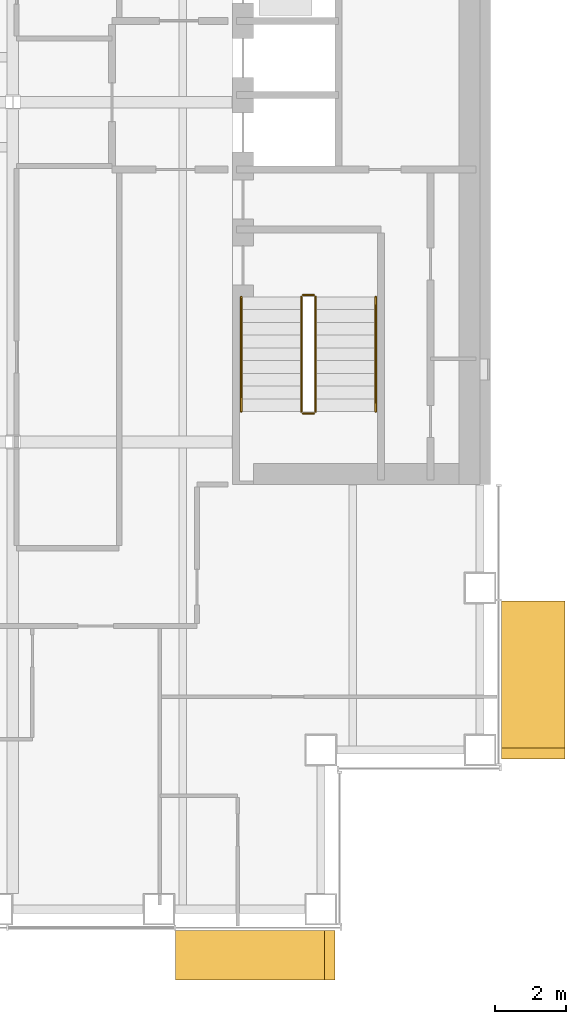
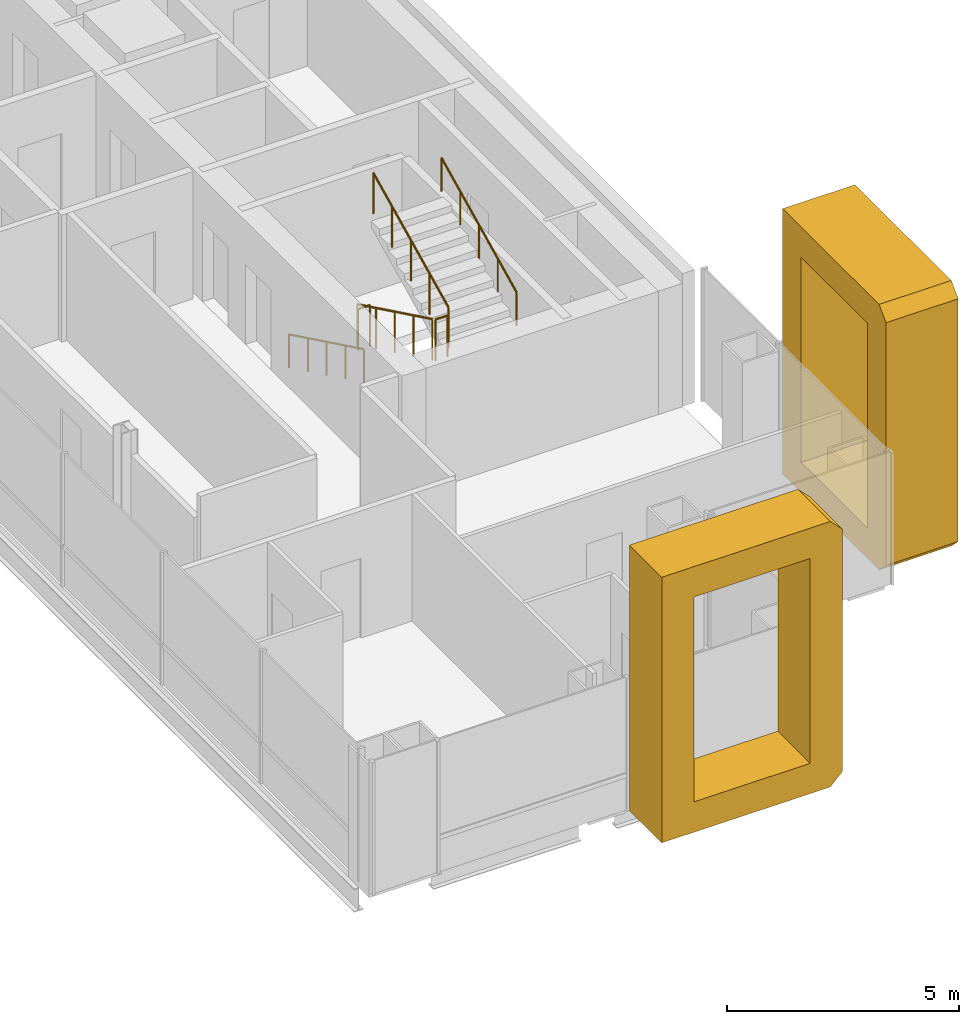
# One storey, part 15 of 17: 6 railings, 2 coverings.
"""IFC4 building model written with IfcOpenShell, lengths in metres."""

import ifcopenshell
import ifcopenshell.guid

model = None  # the IFC model being written
_history = None  # IfcOwnerHistory: only IFC2X3 demands one
_inside = {}  # id of a spatial element -> (the spatial element, [elements in it])
_under = {}  # id of a project, library or spatial element -> (it, [spatial elements below it])
_declared = {}  # id of a project -> (the project, [libraries it declares])
_typed = {}  # id of a type object -> (the type object, [elements of that type])
_made_of = {}  # id of a material, layer set ... -> (it, [elements and type objects made of it])


def new_model(schema):
    """Start an empty IFC model of exactly this schema.

    Asked for "IFC4X3", IfcOpenShell would pick the latest addendum, in which some entities
    have other attributes; the version numbers below select the first issue.
    IFC2X3 requires an IfcOwnerHistory on every rooted entity: one is made here for all.
    """
    global model, _history
    if schema == "IFC4X3":
        model = ifcopenshell.file(schema_version=(4, 3, 0, 0))
    else:
        model = ifcopenshell.file(schema=schema)
    _inside.clear()
    _under.clear()
    _declared.clear()
    _typed.clear()
    _made_of.clear()
    _history = None
    if model.schema == "IFC2X3":
        org = make("IfcOrganization", Name="unknown")
        user = make(
            "IfcPersonAndOrganization",
            ThePerson=make("IfcPerson", FamilyName="unknown"),
            TheOrganization=org,
        )
        app = make(
            "IfcApplication",
            ApplicationDeveloper=org,
            Version="unknown",
            ApplicationFullName="unknown",
            ApplicationIdentifier="unknown",
        )
        _history = make(
            "IfcOwnerHistory",
            OwningUser=user,
            OwningApplication=app,
            ChangeAction="ADDED",
            CreationDate=0,
        )
    return model


def make(cls, **values):
    """One entity of the class cls with the attributes given. An attribute that is None is left unset."""
    return model.create_entity(
        cls, **{name: value for name, value in values.items() if value is not None}
    )


def rooted(cls, **values):
    """An entity with a GlobalId (a new one), such as an element, a storey or a relation."""
    return make(cls, GlobalId=ifcopenshell.guid.new(), OwnerHistory=_history, **values)


def si_unit(unit_type, name, prefix=None):
    """IfcSIUnit, for example si_unit("LENGTHUNIT", "METRE", prefix="MILLI")."""
    return make("IfcSIUnit", UnitType=unit_type, Prefix=prefix, Name=name)


def assignment(units):
    """IfcUnitAssignment: the units of a project."""
    return None if units is None else make("IfcUnitAssignment", Units=units)


def point(xyz):
    """IfcCartesianPoint."""
    return None if xyz is None else make("IfcCartesianPoint", Coordinates=xyz)


def direction(xyz):
    """IfcDirection."""
    return None if xyz is None else make("IfcDirection", DirectionRatios=xyz)


def frame(location, z_axis=None, x_axis=None):
    """IfcAxis2Placement3D, a coordinate frame: its origin and axes. An axis left out is left unset."""
    return make(
        "IfcAxis2Placement3D",
        Location=point(location),
        Axis=direction(z_axis),
        RefDirection=direction(x_axis),
    )


def frame_2d(location, x_axis=None):
    """IfcAxis2Placement2D, a coordinate frame in the plane: its origin and x axis."""
    return make(
        "IfcAxis2Placement2D", Location=point(location), RefDirection=direction(x_axis)
    )


def origin():
    """The frame at (0, 0, 0) with its axes left unset."""
    return frame((0.0, 0.0, 0.0))


def origin_2d():
    """The frame at (0, 0) in the plane with its x axis left unset."""
    return frame_2d((0.0, 0.0))


def place(relative_to, where):
    """IfcLocalPlacement: puts the frame where relative to a parent placement (None: the world)."""
    return make(
        "IfcLocalPlacement", PlacementRelTo=relative_to, RelativePlacement=where
    )


def context(
    kind, dimensions, precision=None, world=None, true_north=None, identifier=None
):
    """IfcGeometricRepresentationContext, for example the 3D "Model" context."""
    return make(
        "IfcGeometricRepresentationContext",
        ContextIdentifier=identifier,
        ContextType=kind,
        CoordinateSpaceDimension=dimensions,
        Precision=precision,
        WorldCoordinateSystem=world,
        TrueNorth=true_north,
    )


def subcontext(parent, identifier, kind, view, scale=None):
    """IfcGeometricRepresentationSubContext, for example "Body" below "Model"."""
    return make(
        "IfcGeometricRepresentationSubContext",
        ContextIdentifier=identifier,
        ContextType=kind,
        ParentContext=parent,
        TargetScale=scale,
        TargetView=view,
    )


def project(units=None, contexts=None):
    """IfcProject with its units and contexts."""
    return rooted(
        "IfcProject",
        Name="project",
        RepresentationContexts=contexts,
        UnitsInContext=assignment(units),
    )


def spatial(cls, under=None, at=None, **own):
    """A site, building, storey or space (cls), placed at a placement, below another one or the project."""
    s = rooted(cls, ObjectPlacement=at, **own)
    if under is not None:
        _under.setdefault(under.id(), (under, []))[1].append(s)
    return s


def polyline(points):
    """IfcPolyline through the points."""
    return make("IfcPolyline", Points=[point(p) for p in points])


def profile(cls, at=None, kind="AREA", **sizes):
    """A parametric profile (cls). Its sizes go by their IFC names, for example OverallWidth=200.0."""
    return make(cls, ProfileType=kind, Position=at, **sizes)


def circle(**sizes):
    """IfcCircleProfileDef."""
    return profile("IfcCircleProfileDef", **sizes)


def outline(outer, holes=None, kind="AREA"):
    """IfcArbitraryClosedProfileDef: a profile drawn as a closed curve; with holes, ...WithVoids."""
    if holes is None:
        return make("IfcArbitraryClosedProfileDef", ProfileType=kind, OuterCurve=outer)
    return make(
        "IfcArbitraryProfileDefWithVoids",
        ProfileType=kind,
        OuterCurve=outer,
        InnerCurves=holes,
    )


def extrude(swept, where, along, depth):
    """IfcExtrudedAreaSolid: the profile swept, set in the frame where, extruded along a direction by depth."""
    return make(
        "IfcExtrudedAreaSolid",
        SweptArea=swept,
        Position=where,
        ExtrudedDirection=direction(along),
        Depth=depth,
    )


def shape(context_of_items, identifier, shape_type, items):
    """IfcShapeRepresentation: the items that make up one representation, for example the "Body"."""
    return make(
        "IfcShapeRepresentation",
        ContextOfItems=context_of_items,
        RepresentationIdentifier=identifier,
        RepresentationType=shape_type,
        Items=items,
    )


def material(Name=None, Category=None):
    """IfcMaterial."""
    return make("IfcMaterial", Name=Name, Category=Category)


def made_of(thing, what):
    """Note that an element or type object is made of a material, layer set ...; save() writes the relation."""
    if what is not None:
        _made_of.setdefault(what.id(), (what, []))[1].append(thing)
    return thing


def type_object(cls, material=None, **own):
    """A type object (cls), such as IfcWallType, which elements share."""
    return made_of(rooted(cls, **own), material)


def element(
    cls,
    number,
    at=None,
    inside=None,
    cuts=None,
    type_object=None,
    material=None,
    context=None,
    identifier="Body",
    shape_type=None,
    held_by="IfcProductDefinitionShape",
    body=None,
    shapes=None,
    **own,
):
    """One element of the class cls, such as IfcWall. Its Tag is "e" and its number.

    at: its placement. inside: the storey or other place that contains it. cuts: it is an
    opening in that element (IfcRelVoidsElement). A single representation is given by context,
    identifier, shape_type and body (its items); several are given by shapes. held_by: the class
    of the entity that holds the representations. save() writes the other relations.
    """
    e = rooted(cls, Tag="e%d" % number, ObjectPlacement=at, **own)
    if body is not None:
        shapes = [shape(context, identifier, shape_type, body)]
    if shapes is not None:
        e.Representation = make(held_by, Representations=shapes)
    if inside is not None:
        _inside.setdefault(inside.id(), (inside, []))[1].append(e)
    if cuts is not None:
        rooted(
            "IfcRelVoidsElement", RelatingBuildingElement=cuts, RelatedOpeningElement=e
        )
    if type_object is not None:
        _typed.setdefault(type_object.id(), (type_object, []))[1].append(e)
    return made_of(e, material)


def aggregate(whole, parts):
    """IfcRelAggregates: a whole, such as a stair, and the parts it consists of."""
    return rooted("IfcRelAggregates", RelatingObject=whole, RelatedObjects=parts)


def save(model, path):
    """Write the relations noted so far, then the file.

    IfcRelAggregates (storeys below a building ...), IfcRelContainedInSpatialStructure (elements
    in a storey), IfcRelDefinesByType, IfcRelAssociatesMaterial and IfcRelDeclares: one each for
    every whole, place, type object, material and project.
    """
    for whole, parts in _under.values():
        aggregate(whole, parts)
    for where, things in _inside.values():
        rooted(
            "IfcRelContainedInSpatialStructure",
            RelatedElements=things,
            RelatingStructure=where,
        )
    for kind, things in _typed.values():
        rooted("IfcRelDefinesByType", RelatedObjects=things, RelatingType=kind)
    for what, things in _made_of.values():
        rooted("IfcRelAssociatesMaterial", RelatedObjects=things, RelatingMaterial=what)
    for by, libraries in _declared.values():
        rooted("IfcRelDeclares", RelatingContext=by, RelatedDefinitions=libraries)
    model.write(path)


model = new_model("IFC4")

# Units and contexts
model_context = context("Model", 3, precision=1e-05, world=origin(), true_north=direction((0.0, 1.0)))
body_context = subcontext(model_context, "Body", "Model", "MODEL_VIEW")
ifc_project = project(units=[si_unit("LENGTHUNIT", "METRE"), si_unit("AREAUNIT", "SQUARE_METRE"), si_unit("VOLUMEUNIT", "CUBIC_METRE"), si_unit("PLANEANGLEUNIT", "RADIAN"), si_unit("MASSUNIT", "GRAM", prefix="KILO")], contexts=[model_context])

# Site, building, storey
site_placement = place(None, origin())
site = spatial("IfcSite", under=ifc_project, at=site_placement, CompositionType="ELEMENT")
building_placement = place(site_placement, origin())
building = spatial("IfcBuilding", under=site, at=building_placement, Name="Cobrizo Arcos Hotel Tower", CompositionType="ELEMENT")
storey_placement = place(building_placement, frame((0.0, 0.0, 131.0)))
storey = spatial("IfcBuildingStorey", under=building, at=storey_placement, Name="L33", CompositionType="ELEMENT", Elevation=131.0)

# Coverings
ifc_material_1 = material(Name="Aluminium 6063-T6 anodised bronze", Category="aluminium")
covering_type_1 = type_object("IfcCoveringType", Name="FIN-F 1400", PredefinedType="CLADDING", material=ifc_material_1)
covering_1_placement = place(storey_placement, frame((14.199951171875, -23.39990234375, 0.0), z_axis=(0.0, -1.0, 0.0), x_axis=(1.0, 0.0, 0.0)))
element("IfcCovering", 1, at=covering_1_placement, inside=storey, type_object=covering_type_1, Name="Fin frame 148", PredefinedType="CLADDING", context=body_context, shape_type="SweptSolid", body=[
    extrude(outline(polyline([(0.0, 7.0), (0.0, 0.0), (4.199951171875, 0.0), (4.5, 0.300048828125), (4.5, 6.699951171875), (4.199951171875, 7.0), (0.0, 7.0)]), holes=[polyline([(3.699951171875, 0.800048828125), (0.800048828125, 0.800048828125), (0.800048828125, 6.199951171875), (3.699951171875, 6.199951171875), (3.699951171875, 0.800048828125)])]), origin(), (0.0, 0.0, 1.0), 1.400146484375),
])
covering_type_2 = type_object("IfcCoveringType", Name="FIN-F 1800", PredefinedType="CLADDING", material=ifc_material_1)
covering_2_placement = place(storey_placement, frame((23.39990234375, -18.550048828125, 0.0), z_axis=(1.0, 0.0, 0.0), x_axis=(0.0, 1.0, 0.0)))
element("IfcCovering", 2, at=covering_2_placement, inside=storey, type_object=covering_type_2, Name="Fin frame 126", PredefinedType="CLADDING", context=body_context, shape_type="SweptSolid", body=[
    extrude(outline(polyline([(0.0, 0.300048828125), (0.300048828125, 0.0), (4.46240234375, 0.0), (4.46240234375, 7.0), (0.300048828125, 7.0), (0.0, 6.699951171875), (0.0, 0.300048828125)]), holes=[polyline([(3.66259765625, 0.800048828125), (0.800048828125, 0.800048828125), (0.800048828125, 6.199951171875), (3.66259765625, 6.199951171875), (3.66259765625, 0.800048828125)])]), origin(), (0.0, 0.0, 1.0), 1.800048828125),
])

# Railings
ifc_material_2 = material(Name="Stainless steel railing", Category="steel")
railing_type_1 = type_object("IfcRailingType", Name="Stair guard 1100", PredefinedType="GUARDRAIL", material=ifc_material_2)
railing_1_placement = place(storey_placement, frame((17.75, -5.5, 0.175048828125)))
element("IfcRailing", 3, at=railing_1_placement, inside=storey, type_object=railing_type_1, Name="L33 ST-E stair guard 1", PredefinedType="GUARDRAIL", context=body_context, shape_type="SweptSolid", body=[
    extrude(circle(Radius=0.02392578125, at=origin_2d()), frame((0.0, 0.0, 1.076171875), z_axis=(0.0, -0.899372665325, 0.437182809435), x_axis=(1.0, 0.0, 0.0)), (0.0, 0.0, 1.0), 3.6025390625),
    extrude(circle(Radius=0.02099609375, at=origin_2d()), origin(), (0.0, 0.0, 1.0), 1.052001953125),
    extrude(circle(Radius=0.02099609375, at=origin_2d()), frame((0.0, -0.81005859375, 0.393798828125)), (0.0, 0.0, 1.0), 1.052001953125),
    extrude(circle(Radius=0.02099609375, at=origin_2d()), frame((0.0, -1.6201171875, 0.78759765625)), (0.0, 0.0, 1.0), 1.052001953125),
    extrude(circle(Radius=0.02099609375, at=origin_2d()), frame((0.0, -2.429931640625, 1.18115234375)), (0.0, 0.0, 1.0), 1.052001953125),
    extrude(circle(Radius=0.02099609375, at=origin_2d()), frame((0.0, -3.239990234375, 1.574951171875)), (0.0, 0.0, 1.0), 1.052001953125),
])
railing_2_placement = place(storey_placement, frame((17.800048828125, -8.7900390625, 1.75)))
element("IfcRailing", 4, at=railing_2_placement, inside=storey, type_object=railing_type_1, Name="L33 ST-E stair guard 2", PredefinedType="GUARDRAIL", context=body_context, shape_type="SweptSolid", body=[
    extrude(circle(Radius=0.02392578125, at=origin_2d()), frame((0.0, 0.0, 1.076171875), z_axis=(1.0, 0.0, 0.0), x_axis=(0.0, 1.0, 0.0)), (0.0, 0.0, 1.0), 0.300048828125),
    extrude(circle(Radius=0.02099609375, at=origin_2d()), origin(), (0.0, 0.0, 1.0), 1.052001953125),
    extrude(circle(Radius=0.02099609375, at=origin_2d()), frame((0.300048828125, 0.0, 0.0)), (0.0, 0.0, 1.0), 1.052001953125),
])
railing_3_placement = place(storey_placement, frame((18.14990234375, -8.739990234375, 1.925048828125)))
element("IfcRailing", 5, at=railing_3_placement, inside=storey, type_object=railing_type_1, Name="L33 ST-E stair guard 3", PredefinedType="GUARDRAIL", context=body_context, shape_type="SweptSolid", body=[
    extrude(circle(Radius=0.02392578125, at=origin_2d()), frame((0.0, 0.0, 1.076171875), z_axis=(0.0, 0.899372665325, 0.437182809435), x_axis=(-1.0, 0.0, 0.0)), (0.0, 0.0, 1.0), 3.6025390625),
    extrude(circle(Radius=0.02099609375, at=origin_2d()), origin(), (0.0, 0.0, 1.0), 1.052001953125),
    extrude(circle(Radius=0.02099609375, at=origin_2d()), frame((0.0, 0.81005859375, 0.393798828125)), (0.0, 0.0, 1.0), 1.052001953125),
    extrude(circle(Radius=0.02099609375, at=origin_2d()), frame((0.0, 1.6201171875, 0.78759765625)), (0.0, 0.0, 1.0), 1.052001953125),
    extrude(circle(Radius=0.02099609375, at=origin_2d()), frame((0.0, 2.429931640625, 1.18115234375)), (0.0, 0.0, 1.0), 1.052001953125),
    extrude(circle(Radius=0.02099609375, at=origin_2d()), frame((0.0, 3.239990234375, 1.574951171875)), (0.0, 0.0, 1.0), 1.052001953125),
])
railing_4_placement = place(storey_placement, frame((17.800048828125, -5.449951171875, 0.0)))
element("IfcRailing", 6, at=railing_4_placement, inside=storey, type_object=railing_type_1, Name="L33 ST-E stair guard 4", PredefinedType="GUARDRAIL", context=body_context, shape_type="SweptSolid", body=[
    extrude(circle(Radius=0.02392578125, at=origin_2d()), frame((0.0, 0.0, 1.076171875), z_axis=(1.0, 0.0, 0.0), x_axis=(0.0, 1.0, 0.0)), (0.0, 0.0, 1.0), 0.300048828125),
    extrude(circle(Radius=0.02099609375, at=origin_2d()), origin(), (0.0, 0.0, 1.0), 1.052001953125),
    extrude(circle(Radius=0.02099609375, at=origin_2d()), frame((0.300048828125, 0.0, 0.0)), (0.0, 0.0, 1.0), 1.052001953125),
])
railing_type_2 = type_object("IfcRailingType", Name="Stair handrail", PredefinedType="HANDRAIL", material=ifc_material_2)
railing_5_placement = place(storey_placement, frame((16.050048828125, -5.5, 0.175048828125)))
element("IfcRailing", 7, at=railing_5_placement, inside=storey, type_object=railing_type_2, Name="L33 ST-E stair handrail 1", PredefinedType="HANDRAIL", context=body_context, shape_type="SweptSolid", body=[
    extrude(circle(Radius=0.02392578125, at=origin_2d()), frame((0.0, 0.0, 0.8759765625), z_axis=(0.0, -0.899372665325, 0.437182809435), x_axis=(1.0, 0.0, 0.0)), (0.0, 0.0, 1.0), 3.6025390625),
    extrude(circle(Radius=0.02099609375, at=origin_2d()), origin(), (0.0, 0.0, 1.0), 0.851806640625),
    extrude(circle(Radius=0.02099609375, at=origin_2d()), frame((0.0, -0.81005859375, 0.393798828125)), (0.0, 0.0, 1.0), 0.851806640625),
    extrude(circle(Radius=0.02099609375, at=origin_2d()), frame((0.0, -1.6201171875, 0.78759765625)), (0.0, 0.0, 1.0), 0.851806640625),
    extrude(circle(Radius=0.02099609375, at=origin_2d()), frame((0.0, -2.429931640625, 1.18115234375)), (0.0, 0.0, 1.0), 0.851806640625),
    extrude(circle(Radius=0.02099609375, at=origin_2d()), frame((0.0, -3.239990234375, 1.574951171875)), (0.0, 0.0, 1.0), 0.851806640625),
])
railing_6_placement = place(storey_placement, frame((19.85009765625, -8.739990234375, 1.925048828125)))
element("IfcRailing", 8, at=railing_6_placement, inside=storey, type_object=railing_type_2, Name="L33 ST-E stair handrail 2", PredefinedType="HANDRAIL", context=body_context, shape_type="SweptSolid", body=[
    extrude(circle(Radius=0.02392578125, at=origin_2d()), frame((0.0, 0.0, 0.8759765625), z_axis=(0.0, 0.899372665325, 0.437182809435), x_axis=(-1.0, 0.0, 0.0)), (0.0, 0.0, 1.0), 3.6025390625),
    extrude(circle(Radius=0.02099609375, at=origin_2d()), origin(), (0.0, 0.0, 1.0), 0.851806640625),
    extrude(circle(Radius=0.02099609375, at=origin_2d()), frame((0.0, 0.81005859375, 0.393798828125)), (0.0, 0.0, 1.0), 0.851806640625),
    extrude(circle(Radius=0.02099609375, at=origin_2d()), frame((0.0, 1.6201171875, 0.78759765625)), (0.0, 0.0, 1.0), 0.851806640625),
    extrude(circle(Radius=0.02099609375, at=origin_2d()), frame((0.0, 2.429931640625, 1.18115234375)), (0.0, 0.0, 1.0), 0.851806640625),
    extrude(circle(Radius=0.02099609375, at=origin_2d()), frame((0.0, 3.239990234375, 1.574951171875)), (0.0, 0.0, 1.0), 0.851806640625),
])

save(model, "model.ifc")
